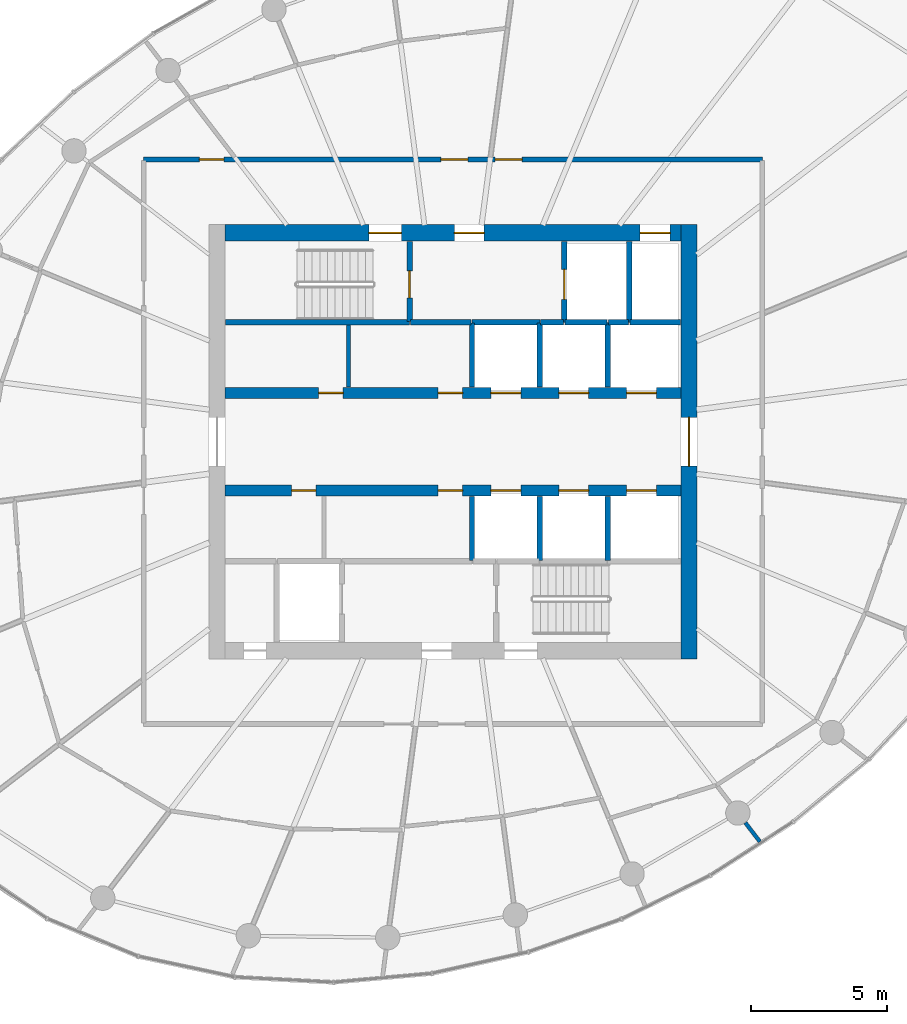
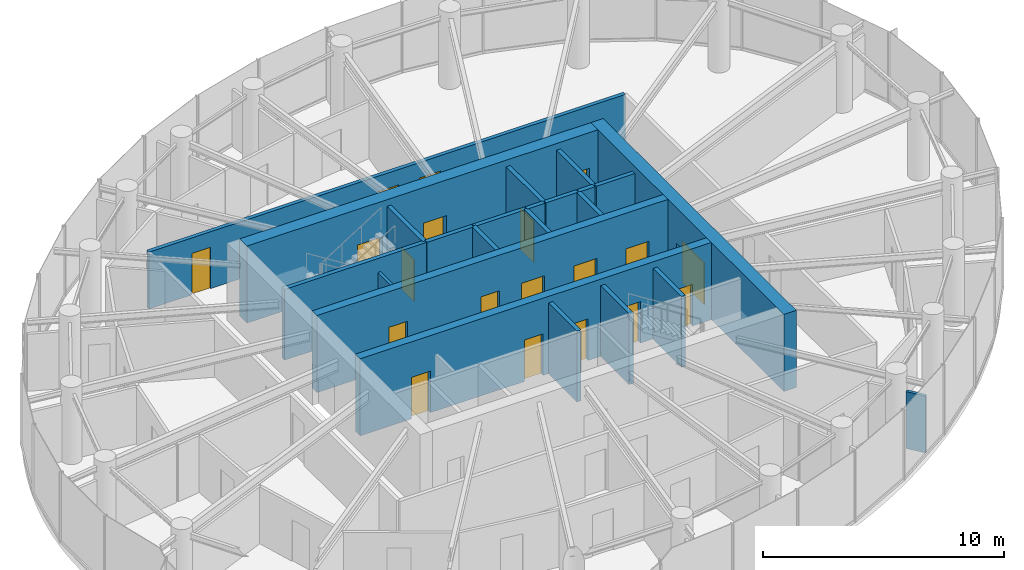
# One storey, part 10 of 13: 23 walls, 19 doors, 19 openings.
"""IFC4 building model written with IfcOpenShell, lengths in metres."""

from ifc_helpers import new_model, si_unit, direction, frame, frame_2d, origin, place, context, subcontext, project, spatial, rectangle, extrude, source, transform, mapped, material, layer, layer_set, type_object, element, fill, save


model = new_model("IFC4")

# Units and contexts
model_context = context("Model", 3, precision=1e-05, world=origin(), true_north=direction((0.0, 1.0)))
body_context = subcontext(model_context, "Body", "Model", "MODEL_VIEW")
ifc_project = project(units=[si_unit("LENGTHUNIT", "METRE"), si_unit("AREAUNIT", "SQUARE_METRE"), si_unit("VOLUMEUNIT", "CUBIC_METRE"), si_unit("PLANEANGLEUNIT", "RADIAN"), si_unit("MASSUNIT", "GRAM", prefix="KILO")], contexts=[model_context])

# Site, building, storey
site_placement = place(None, origin())
site = spatial("IfcSite", under=ifc_project, at=site_placement, CompositionType="ELEMENT")
building_placement = place(site_placement, origin())
building = spatial("IfcBuilding", under=site, at=building_placement, Name="Spindrift Exchange Tower", CompositionType="ELEMENT")
storey_placement = place(building_placement, frame((0.0, 0.0, 222.800048828125)))
storey = spatial("IfcBuildingStorey", under=building, at=storey_placement, Name="L54", CompositionType="ELEMENT", Elevation=222.800048828125)

# Wall, opening, door
ifc_material_1 = material(Name="Concrete 50 MPa", Category="concrete")
ifc_layer_1 = layer(ifc_material_1, 0.60009765625)
ifc_layer_set_1 = layer_set([ifc_layer_1], Name="RC Core Wall 600 Concrete 50 MPa")
wall_type_1 = type_object("IfcWallType", Name="RC Core Wall 600 Concrete 50 MPa", PredefinedType="SHEAR", material=ifc_layer_set_1)
wall_1_placement = place(storey_placement, frame((60.699951171875, 40.0, 0.0), z_axis=(0.0, 0.0, 1.0), x_axis=(0.0, 1.0, 0.0)))
wall_1 = element("IfcWall", 1, at=wall_1_placement, inside=storey, type_object=wall_type_1, Name="Core wall E L54", PredefinedType="SHEAR", context=body_context, shape_type="SweptSolid", body=[
    extrude(rectangle(XDim=16.0, YDim=0.60009765625, at=frame_2d((8.0, 0.0))), origin(), (0.0, 0.0, 1.0), 3.89990234375),
])
opening_1_placement = place(wall_1_placement, frame((7.10009765625, 0.0, 0.0)))
opening_1 = element("IfcOpeningElement", 2, at=opening_1_placement, cuts=wall_1, Name="Opening L54-D2", PredefinedType="OPENING", context=body_context, shape_type="SweptSolid", body=[
    extrude(rectangle(XDim=1.800048828125, YDim=2.10009765625, at=frame_2d((0.89990234375, 1.050048828125))), frame((0.0, 0.31005859375, 0.0), z_axis=(0.0, -1.0, 0.0), x_axis=(1.0, 0.0, 0.0)), (0.0, 0.0, 1.0), 0.6201171875),
])
ifc_material_2 = material(Name="Timber-core fire door", Category="wood")
door_type_1 = type_object("IfcDoorType", Name="DR-LOBBY-1800", OperationType="NOTDEFINED", PredefinedType="DOOR", material=ifc_material_2)
shared_shape_1 = source(origin(), body_context, "Body", "SweptSolid", [
    extrude(rectangle(XDim=1.800048828125, YDim=2.10009765625, at=frame_2d((0.89990234375, 1.050048828125))), frame((0.0, 0.02490234375, 0.0), z_axis=(0.0, -1.0, 0.0), x_axis=(1.0, 0.0, 0.0)), (0.0, 0.0, 1.0), 0.050048828125),
])
door_1_placement = place(opening_1_placement, origin())
door_1 = element("IfcDoor", 3, at=door_1_placement, inside=storey, type_object=door_type_1, Name="L54 Lobby door 2", OperationType="SINGLE_SWING_LEFT", OverallHeight=2.10009765625, OverallWidth=1.800048828125, PredefinedType="DOOR", context=body_context, shape_type="MappedRepresentation", body=[
    mapped(shared_shape_1, transform((0.0, 0.0, 0.0), scale=1.0)),
])
fill(opening_1, door_1)

# Wall, openings, doors
wall_2_placement = place(storey_placement, frame((60.39990234375, 55.699951171875, 0.0), z_axis=(0.0, 0.0, 1.0), x_axis=(-1.0, 0.0, 0.0)))
wall_2 = element("IfcWall", 4, at=wall_2_placement, inside=storey, type_object=wall_type_1, Name="Core wall N L54", PredefinedType="SHEAR", context=body_context, shape_type="SweptSolid", body=[
    extrude(rectangle(XDim=16.7998046875, YDim=0.60009765625, at=frame_2d((8.39990234375, 0.0))), origin(), (0.0, 0.0, 1.0), 3.89990234375),
])
opening_2_placement = place(wall_2_placement, frame((0.39990234375, 0.0, 0.0)))
opening_2 = element("IfcOpeningElement", 5, at=opening_2_placement, cuts=wall_2, Name="Opening L54-D11", PredefinedType="OPENING", context=body_context, shape_type="SweptSolid", body=[
    extrude(rectangle(XDim=1.10009765625, YDim=2.10009765625, at=frame_2d((0.550048828125, 1.050048828125))), frame((0.0, 0.31005859375, 0.0), z_axis=(0.0, -1.0, 0.0), x_axis=(1.0, 0.0, 0.0)), (0.0, 0.0, 1.0), 0.6201171875),
])
opening_3_placement = place(wall_2_placement, frame((10.300048828125, 0.0, 0.0)))
opening_3 = element("IfcOpeningElement", 6, at=opening_3_placement, cuts=wall_2, Name="Opening L54-D12", PredefinedType="OPENING", context=body_context, shape_type="SweptSolid", body=[
    extrude(rectangle(XDim=1.199951171875, YDim=2.10009765625, at=frame_2d((0.60009765625, 1.050048828125))), frame((0.0, 0.31005859375, 0.0), z_axis=(0.0, -1.0, 0.0), x_axis=(1.0, 0.0, 0.0)), (0.0, 0.0, 1.0), 0.6201171875),
])
opening_4_placement = place(wall_2_placement, frame((7.25, 0.0, 0.0)))
opening_4 = element("IfcOpeningElement", 7, at=opening_4_placement, cuts=wall_2, Name="Opening L54-D14", PredefinedType="OPENING", context=body_context, shape_type="SweptSolid", body=[
    extrude(rectangle(XDim=1.10009765625, YDim=2.10009765625, at=frame_2d((0.550048828125, 1.050048828125))), frame((0.0, 0.31005859375, 0.0), z_axis=(0.0, -1.0, 0.0), x_axis=(1.0, 0.0, 0.0)), (0.0, 0.0, 1.0), 0.6201171875),
])
ifc_material_3 = material(Name="Stainless steel landing door", Category="steel")
door_type_2 = type_object("IfcDoorType", Name="DR-LANDING-1100-SL", OperationType="DOUBLE_DOOR_SLIDING", PredefinedType="USERDEFINED", material=ifc_material_3)
shared_shape_2 = source(origin(), body_context, "Body", "SweptSolid", [
    extrude(rectangle(XDim=1.10009765625, YDim=2.10009765625, at=frame_2d((0.550048828125, 1.050048828125))), frame((0.0, 0.02490234375, 0.0), z_axis=(0.0, -1.0, 0.0), x_axis=(1.0, 0.0, 0.0)), (0.0, 0.0, 1.0), 0.050048828125),
])
door_2_placement = place(opening_2_placement, origin())
door_2 = element("IfcDoor", 8, at=door_2_placement, inside=storey, type_object=door_type_2, Name="L54 Lift landing door 11", ObjectType="LANDING DOOR", OperationType="DOUBLE_DOOR_SLIDING", OverallHeight=2.10009765625, OverallWidth=1.10009765625, PredefinedType="USERDEFINED", context=body_context, shape_type="MappedRepresentation", body=[
    mapped(shared_shape_2, transform((0.0, 0.0, 0.0), scale=1.0)),
])
fill(opening_2, door_2)
ifc_material_4 = material(Name="Steel fire door", Category="steel")
door_type_3 = type_object("IfcDoorType", Name="DR-STAIR-1200", OperationType="NOTDEFINED", PredefinedType="DOOR", material=ifc_material_4)
shared_shape_3 = source(origin(), body_context, "Body", "SweptSolid", [
    extrude(rectangle(XDim=1.199951171875, YDim=2.10009765625, at=frame_2d((0.60009765625, 1.050048828125))), frame((0.0, 0.02490234375, 0.0), z_axis=(0.0, -1.0, 0.0), x_axis=(1.0, 0.0, 0.0)), (0.0, 0.0, 1.0), 0.050048828125),
])
door_3_placement = place(opening_3_placement, origin())
door_3 = element("IfcDoor", 9, at=door_3_placement, inside=storey, type_object=door_type_3, Name="L54 Stair door 12", OperationType="SINGLE_SWING_RIGHT", OverallHeight=2.10009765625, OverallWidth=1.199951171875, PredefinedType="DOOR", context=body_context, shape_type="MappedRepresentation", body=[
    mapped(shared_shape_3, transform((0.0, 0.0, 0.0), scale=1.0)),
])
fill(opening_3, door_3)
door_type_4 = type_object("IfcDoorType", Name="DR-LOBBY-1100", OperationType="NOTDEFINED", PredefinedType="DOOR", material=ifc_material_2)
shared_shape_4 = source(origin(), body_context, "Body", "SweptSolid", [
    extrude(rectangle(XDim=1.10009765625, YDim=2.10009765625, at=frame_2d((0.550048828125, 1.050048828125))), frame((0.0, 0.02490234375, 0.0), z_axis=(0.0, -1.0, 0.0), x_axis=(1.0, 0.0, 0.0)), (0.0, 0.0, 1.0), 0.050048828125),
])
door_4_placement = place(opening_4_placement, origin())
door_4 = element("IfcDoor", 10, at=door_4_placement, inside=storey, type_object=door_type_4, Name="L54 Lobby door 14", OperationType="SINGLE_SWING_RIGHT", OverallHeight=2.10009765625, OverallWidth=1.10009765625, PredefinedType="DOOR", context=body_context, shape_type="MappedRepresentation", body=[
    mapped(shared_shape_4, transform((0.0, 0.0, 0.0), scale=1.0)),
])
fill(opening_4, door_4)

ifc_layer_2 = layer(ifc_material_1, 0.39990234375)
ifc_layer_set_2 = layer_set([ifc_layer_2], Name="RC Spine Wall 400 Concrete 50 MPa")
wall_type_2 = type_object("IfcWallType", Name="RC Spine Wall 400 Concrete 50 MPa", PredefinedType="SHEAR", material=ifc_layer_set_2)
wall_3_placement = place(storey_placement, frame((43.60009765625, 49.800048828125, 0.0), z_axis=(0.0, 0.0, 1.0), x_axis=(1.0, 0.0, 0.0)))
wall_3 = element("IfcWall", 11, at=wall_3_placement, inside=storey, type_object=wall_type_2, Name="Core spine wall N L54", PredefinedType="SHEAR", context=body_context, shape_type="SweptSolid", body=[
    extrude(rectangle(XDim=16.7998046875, YDim=0.39990234375, at=frame_2d((8.39990234375, 0.0))), origin(), (0.0, 0.0, 1.0), 3.89990234375),
])
opening_5_placement = place(wall_3_placement, frame((9.800048828125, 0.0, 0.0)))
opening_5 = element("IfcOpeningElement", 12, at=opening_5_placement, cuts=wall_3, Name="Opening L54-D3", PredefinedType="OPENING", context=body_context, shape_type="SweptSolid", body=[
    extrude(rectangle(XDim=1.10009765625, YDim=2.10009765625, at=frame_2d((0.550048828125, 1.050048828125))), frame((0.0, 0.2099609375, 0.0), z_axis=(0.0, -1.0, 0.0), x_axis=(1.0, 0.0, 0.0)), (0.0, 0.0, 1.0), 0.419921875),
])
opening_6_placement = place(wall_3_placement, frame((12.300048828125, 0.0, 0.0)))
opening_6 = element("IfcOpeningElement", 13, at=opening_6_placement, cuts=wall_3, Name="Opening L54-D4", PredefinedType="OPENING", context=body_context, shape_type="SweptSolid", body=[
    extrude(rectangle(XDim=1.10009765625, YDim=2.10009765625, at=frame_2d((0.550048828125, 1.050048828125))), frame((0.0, 0.2099609375, 0.0), z_axis=(0.0, -1.0, 0.0), x_axis=(1.0, 0.0, 0.0)), (0.0, 0.0, 1.0), 0.419921875),
])
opening_7_placement = place(wall_3_placement, frame((14.800048828125, 0.0, 0.0)))
opening_7 = element("IfcOpeningElement", 14, at=opening_7_placement, cuts=wall_3, Name="Opening L54-D5", PredefinedType="OPENING", context=body_context, shape_type="SweptSolid", body=[
    extrude(rectangle(XDim=1.10009765625, YDim=2.10009765625, at=frame_2d((0.550048828125, 1.050048828125))), frame((0.0, 0.2099609375, 0.0), z_axis=(0.0, -1.0, 0.0), x_axis=(1.0, 0.0, 0.0)), (0.0, 0.0, 1.0), 0.419921875),
])
opening_8_placement = place(wall_3_placement, frame((3.449951171875, 0.0, 0.0)))
opening_8 = element("IfcOpeningElement", 15, at=opening_8_placement, cuts=wall_3, Name="Opening L54-D45", PredefinedType="OPENING", context=body_context, shape_type="SweptSolid", body=[
    extrude(rectangle(XDim=0.89990234375, YDim=2.10009765625, at=frame_2d((0.449951171875, 1.050048828125))), frame((0.0, 0.2099609375, 0.0), z_axis=(0.0, -1.0, 0.0), x_axis=(1.0, 0.0, 0.0)), (0.0, 0.0, 1.0), 0.419921875),
])
opening_9_placement = place(wall_3_placement, frame((7.85009765625, 0.0, 0.0)))
opening_9 = element("IfcOpeningElement", 16, at=opening_9_placement, cuts=wall_3, Name="Opening L54-D46", PredefinedType="OPENING", context=body_context, shape_type="SweptSolid", body=[
    extrude(rectangle(XDim=0.89990234375, YDim=2.10009765625, at=frame_2d((0.449951171875, 1.050048828125))), frame((0.0, 0.2099609375, 0.0), z_axis=(0.0, -1.0, 0.0), x_axis=(1.0, 0.0, 0.0)), (0.0, 0.0, 1.0), 0.419921875),
])
door_5_placement = place(opening_5_placement, origin())
door_5 = element("IfcDoor", 17, at=door_5_placement, inside=storey, type_object=door_type_2, Name="L54 Lift landing door 3", ObjectType="LANDING DOOR", OperationType="DOUBLE_DOOR_SLIDING", OverallHeight=2.10009765625, OverallWidth=1.10009765625, PredefinedType="USERDEFINED", context=body_context, shape_type="MappedRepresentation", body=[
    mapped(shared_shape_2, transform((0.0, 0.0, 0.0), scale=1.0)),
])
fill(opening_5, door_5)
door_6_placement = place(opening_6_placement, origin())
door_6 = element("IfcDoor", 18, at=door_6_placement, inside=storey, type_object=door_type_2, Name="L54 Lift landing door 4", ObjectType="LANDING DOOR", OperationType="DOUBLE_DOOR_SLIDING", OverallHeight=2.10009765625, OverallWidth=1.10009765625, PredefinedType="USERDEFINED", context=body_context, shape_type="MappedRepresentation", body=[
    mapped(shared_shape_2, transform((0.0, 0.0, 0.0), scale=1.0)),
])
fill(opening_6, door_6)
door_7_placement = place(opening_7_placement, origin())
door_7 = element("IfcDoor", 19, at=door_7_placement, inside=storey, type_object=door_type_2, Name="L54 Lift landing door 5", ObjectType="LANDING DOOR", OperationType="DOUBLE_DOOR_SLIDING", OverallHeight=2.10009765625, OverallWidth=1.10009765625, PredefinedType="USERDEFINED", context=body_context, shape_type="MappedRepresentation", body=[
    mapped(shared_shape_2, transform((0.0, 0.0, 0.0), scale=1.0)),
])
fill(opening_7, door_7)
ifc_material_5 = material(Name="Steel access door", Category="steel")
door_type_5 = type_object("IfcDoorType", Name="DR-RISER-900", OperationType="NOTDEFINED", PredefinedType="DOOR", material=ifc_material_5)
shared_shape_5 = source(origin(), body_context, "Body", "SweptSolid", [
    extrude(rectangle(XDim=0.89990234375, YDim=2.10009765625, at=frame_2d((0.449951171875, 1.050048828125))), frame((0.0, 0.02490234375, 0.0), z_axis=(0.0, -1.0, 0.0), x_axis=(1.0, 0.0, 0.0)), (0.0, 0.0, 1.0), 0.050048828125),
])
door_8_placement = place(opening_8_placement, origin())
door_8 = element("IfcDoor", 20, at=door_8_placement, inside=storey, type_object=door_type_5, Name="L54 Riser door 45", OperationType="SINGLE_SWING_LEFT", OverallHeight=2.10009765625, OverallWidth=0.89990234375, PredefinedType="DOOR", context=body_context, shape_type="MappedRepresentation", body=[
    mapped(shared_shape_5, transform((0.0, 0.0, 0.0), scale=1.0)),
])
fill(opening_8, door_8)
door_9_placement = place(opening_9_placement, origin())
door_9 = element("IfcDoor", 21, at=door_9_placement, inside=storey, type_object=door_type_5, Name="L54 Riser door 46", OperationType="SINGLE_SWING_RIGHT", OverallHeight=2.10009765625, OverallWidth=0.89990234375, PredefinedType="DOOR", context=body_context, shape_type="MappedRepresentation", body=[
    mapped(shared_shape_5, transform((0.0, 0.0, 0.0), scale=1.0)),
])
fill(opening_9, door_9)

wall_4_placement = place(storey_placement, frame((43.60009765625, 46.199951171875, 0.0), z_axis=(0.0, 0.0, 1.0), x_axis=(1.0, 0.0, 0.0)))
wall_4 = element("IfcWall", 22, at=wall_4_placement, inside=storey, type_object=wall_type_2, Name="Core spine wall S L54", PredefinedType="SHEAR", context=body_context, shape_type="SweptSolid", body=[
    extrude(rectangle(XDim=16.7998046875, YDim=0.39990234375, at=frame_2d((8.39990234375, 0.0))), origin(), (0.0, 0.0, 1.0), 3.89990234375),
])
opening_10_placement = place(wall_4_placement, frame((9.800048828125, 0.0, 0.0)))
opening_10 = element("IfcOpeningElement", 23, at=opening_10_placement, cuts=wall_4, Name="Opening L54-D6", PredefinedType="OPENING", context=body_context, shape_type="SweptSolid", body=[
    extrude(rectangle(XDim=1.10009765625, YDim=2.10009765625, at=frame_2d((0.550048828125, 1.050048828125))), frame((0.0, 0.2099609375, 0.0), z_axis=(0.0, -1.0, 0.0), x_axis=(1.0, 0.0, 0.0)), (0.0, 0.0, 1.0), 0.419921875),
])
opening_11_placement = place(wall_4_placement, frame((12.300048828125, 0.0, 0.0)))
opening_11 = element("IfcOpeningElement", 24, at=opening_11_placement, cuts=wall_4, Name="Opening L54-D7", PredefinedType="OPENING", context=body_context, shape_type="SweptSolid", body=[
    extrude(rectangle(XDim=1.10009765625, YDim=2.10009765625, at=frame_2d((0.550048828125, 1.050048828125))), frame((0.0, 0.2099609375, 0.0), z_axis=(0.0, -1.0, 0.0), x_axis=(1.0, 0.0, 0.0)), (0.0, 0.0, 1.0), 0.419921875),
])
opening_12_placement = place(wall_4_placement, frame((14.800048828125, 0.0, 0.0)))
opening_12 = element("IfcOpeningElement", 25, at=opening_12_placement, cuts=wall_4, Name="Opening L54-D8", PredefinedType="OPENING", context=body_context, shape_type="SweptSolid", body=[
    extrude(rectangle(XDim=1.10009765625, YDim=2.10009765625, at=frame_2d((0.550048828125, 1.050048828125))), frame((0.0, 0.2099609375, 0.0), z_axis=(0.0, -1.0, 0.0), x_axis=(1.0, 0.0, 0.0)), (0.0, 0.0, 1.0), 0.419921875),
])
opening_13_placement = place(wall_4_placement, frame((2.449951171875, 0.0, 0.0)))
opening_13 = element("IfcOpeningElement", 26, at=opening_13_placement, cuts=wall_4, Name="Opening L54-D47", PredefinedType="OPENING", context=body_context, shape_type="SweptSolid", body=[
    extrude(rectangle(XDim=0.89990234375, YDim=2.10009765625, at=frame_2d((0.449951171875, 1.050048828125))), frame((0.0, 0.2099609375, 0.0), z_axis=(0.0, -1.0, 0.0), x_axis=(1.0, 0.0, 0.0)), (0.0, 0.0, 1.0), 0.419921875),
])
opening_14_placement = place(wall_4_placement, frame((7.85009765625, 0.0, 0.0)))
opening_14 = element("IfcOpeningElement", 27, at=opening_14_placement, cuts=wall_4, Name="Opening L54-D48", PredefinedType="OPENING", context=body_context, shape_type="SweptSolid", body=[
    extrude(rectangle(XDim=0.89990234375, YDim=2.10009765625, at=frame_2d((0.449951171875, 1.050048828125))), frame((0.0, 0.2099609375, 0.0), z_axis=(0.0, -1.0, 0.0), x_axis=(1.0, 0.0, 0.0)), (0.0, 0.0, 1.0), 0.419921875),
])
door_10_placement = place(opening_10_placement, origin())
door_10 = element("IfcDoor", 28, at=door_10_placement, inside=storey, type_object=door_type_2, Name="L54 Lift landing door 6", ObjectType="LANDING DOOR", OperationType="DOUBLE_DOOR_SLIDING", OverallHeight=2.10009765625, OverallWidth=1.10009765625, PredefinedType="USERDEFINED", context=body_context, shape_type="MappedRepresentation", body=[
    mapped(shared_shape_2, transform((0.0, 0.0, 0.0), scale=1.0)),
])
fill(opening_10, door_10)
door_11_placement = place(opening_11_placement, origin())
door_11 = element("IfcDoor", 29, at=door_11_placement, inside=storey, type_object=door_type_2, Name="L54 Lift landing door 7", ObjectType="LANDING DOOR", OperationType="DOUBLE_DOOR_SLIDING", OverallHeight=2.10009765625, OverallWidth=1.10009765625, PredefinedType="USERDEFINED", context=body_context, shape_type="MappedRepresentation", body=[
    mapped(shared_shape_2, transform((0.0, 0.0, 0.0), scale=1.0)),
])
fill(opening_11, door_11)
door_12_placement = place(opening_12_placement, origin())
door_12 = element("IfcDoor", 30, at=door_12_placement, inside=storey, type_object=door_type_2, Name="L54 Lift landing door 8", ObjectType="LANDING DOOR", OperationType="DOUBLE_DOOR_SLIDING", OverallHeight=2.10009765625, OverallWidth=1.10009765625, PredefinedType="USERDEFINED", context=body_context, shape_type="MappedRepresentation", body=[
    mapped(shared_shape_2, transform((0.0, 0.0, 0.0), scale=1.0)),
])
fill(opening_12, door_12)
door_13_placement = place(opening_13_placement, origin())
door_13 = element("IfcDoor", 31, at=door_13_placement, inside=storey, type_object=door_type_5, Name="L54 Riser door 47", OperationType="SINGLE_SWING_LEFT", OverallHeight=2.10009765625, OverallWidth=0.89990234375, PredefinedType="DOOR", context=body_context, shape_type="MappedRepresentation", body=[
    mapped(shared_shape_5, transform((0.0, 0.0, 0.0), scale=1.0)),
])
fill(opening_13, door_13)
door_14_placement = place(opening_14_placement, origin())
door_14 = element("IfcDoor", 32, at=door_14_placement, inside=storey, type_object=door_type_5, Name="L54 Riser door 48", OperationType="SINGLE_SWING_RIGHT", OverallHeight=2.10009765625, OverallWidth=0.89990234375, PredefinedType="DOOR", context=body_context, shape_type="MappedRepresentation", body=[
    mapped(shared_shape_5, transform((0.0, 0.0, 0.0), scale=1.0)),
])
fill(opening_14, door_14)

ifc_material_6 = material(Name="Fire-rated plasterboard partition", Category="gypsum")
ifc_layer_3 = layer(ifc_material_6, 0.179931640625)
ifc_layer_set_3 = layer_set([ifc_layer_3], Name="W-CORR-180")
wall_type_3 = type_object("IfcWallType", Name="W-CORR-180", PredefinedType="PARTITIONING", material=ifc_layer_set_3)
wall_5_placement = place(storey_placement, frame((40.60009765625, 58.39990234375, 0.0), z_axis=(0.0, 0.0, 1.0), x_axis=(1.0, 0.0, 0.0)))
wall_5 = element("IfcWall", 33, at=wall_5_placement, inside=storey, type_object=wall_type_3, Name="L54 Partition wall 27", PredefinedType="PARTITIONING", context=body_context, shape_type="SweptSolid", body=[
    extrude(rectangle(XDim=22.7998046875, YDim=0.179931640625, at=frame_2d((11.39990234375, 0.0))), origin(), (0.0, 0.0, 1.0), 2.8798828125),
])
opening_15_placement = place(wall_5_placement, frame((2.050048828125, 0.0, 0.0)))
opening_15 = element("IfcOpeningElement", 34, at=opening_15_placement, cuts=wall_5, Name="Opening L54-D19", PredefinedType="OPENING", context=body_context, shape_type="SweptSolid", body=[
    extrude(rectangle(XDim=0.89990234375, YDim=2.10009765625, at=frame_2d((0.449951171875, 1.050048828125))), frame((0.0, 0.099853515625, 0.0), z_axis=(0.0, -1.0, 0.0), x_axis=(1.0, 0.0, 0.0)), (0.0, 0.0, 1.0), 0.199951171875),
])
opening_16_placement = place(wall_5_placement, frame((12.949951171875, 0.0, 0.0)))
opening_16 = element("IfcOpeningElement", 35, at=opening_16_placement, cuts=wall_5, Name="Opening L54-D40", PredefinedType="OPENING", context=body_context, shape_type="SweptSolid", body=[
    extrude(rectangle(XDim=1.0, YDim=2.10009765625, at=frame_2d((0.5, 1.050048828125))), frame((0.0, 0.099853515625, 0.0), z_axis=(0.0, -1.0, 0.0), x_axis=(1.0, 0.0, 0.0)), (0.0, 0.0, 1.0), 0.199951171875),
])
opening_17_placement = place(wall_5_placement, frame((10.949951171875, 0.0, 0.0)))
opening_17 = element("IfcOpeningElement", 36, at=opening_17_placement, cuts=wall_5, Name="Opening L54-D41", PredefinedType="OPENING", context=body_context, shape_type="SweptSolid", body=[
    extrude(rectangle(XDim=1.0, YDim=2.10009765625, at=frame_2d((0.5, 1.050048828125))), frame((0.0, 0.099853515625, 0.0), z_axis=(0.0, -1.0, 0.0), x_axis=(1.0, 0.0, 0.0)), (0.0, 0.0, 1.0), 0.199951171875),
])
door_type_6 = type_object("IfcDoorType", Name="DR-ROOM-1000", OperationType="NOTDEFINED", PredefinedType="DOOR", material=ifc_material_2)
shared_shape_6 = source(origin(), body_context, "Body", "SweptSolid", [
    extrude(rectangle(XDim=1.0, YDim=2.10009765625, at=frame_2d((0.5, 1.050048828125))), frame((0.0, 0.02490234375, 0.0), z_axis=(0.0, -1.0, 0.0), x_axis=(1.0, 0.0, 0.0)), (0.0, 0.0, 1.0), 0.050048828125),
])
door_15_placement = place(opening_16_placement, origin())
door_15 = element("IfcDoor", 37, at=door_15_placement, inside=storey, type_object=door_type_6, Name="L54 Door 40", OperationType="SINGLE_SWING_RIGHT", OverallHeight=2.10009765625, OverallWidth=1.0, PredefinedType="DOOR", context=body_context, shape_type="MappedRepresentation", body=[
    mapped(shared_shape_6, transform((0.0, 0.0, 0.0), scale=1.0)),
])
fill(opening_16, door_15)
door_16_placement = place(opening_17_placement, origin())
door_16 = element("IfcDoor", 38, at=door_16_placement, inside=storey, type_object=door_type_6, Name="L54 Door 41", OperationType="SINGLE_SWING_LEFT", OverallHeight=2.10009765625, OverallWidth=1.0, PredefinedType="DOOR", context=body_context, shape_type="MappedRepresentation", body=[
    mapped(shared_shape_6, transform((0.0, 0.0, 0.0), scale=1.0)),
])
fill(opening_17, door_16)
ifc_material_7 = material(Name="Laminate washroom door", Category="wood")
door_type_7 = type_object("IfcDoorType", Name="DR-WC-900", OperationType="NOTDEFINED", PredefinedType="DOOR", material=ifc_material_7)
shared_shape_7 = source(origin(), body_context, "Body", "SweptSolid", [
    extrude(rectangle(XDim=0.89990234375, YDim=2.10009765625, at=frame_2d((0.449951171875, 1.050048828125))), frame((0.0, 0.02490234375, 0.0), z_axis=(0.0, -1.0, 0.0), x_axis=(1.0, 0.0, 0.0)), (0.0, 0.0, 1.0), 0.050048828125),
])
door_17_placement = place(opening_15_placement, origin())
door_17 = element("IfcDoor", 39, at=door_17_placement, inside=storey, type_object=door_type_7, Name="L54 WC door 19", OperationType="SINGLE_SWING_LEFT", OverallHeight=2.10009765625, OverallWidth=0.89990234375, PredefinedType="DOOR", context=body_context, shape_type="MappedRepresentation", body=[
    mapped(shared_shape_7, transform((0.0, 0.0, 0.0), scale=1.0)),
])
fill(opening_15, door_17)

# Walls
ifc_layer_4 = layer(ifc_material_6, 0.139892578125)
ifc_layer_set_4 = layer_set([ifc_layer_4], Name="W-PART-140")
wall_type_4 = type_object("IfcWallType", Name="W-PART-140", PredefinedType="PARTITIONING", material=ifc_layer_set_4)
wall_6_placement = place(storey_placement, frame((48.14990234375, 50.010009765625, 0.0), z_axis=(0.0, 0.0, 1.0), x_axis=(0.0, 1.0, 0.0)))
element("IfcWall", 40, at=wall_6_placement, inside=storey, type_object=wall_type_4, Name="L54 Partition wall 69", PredefinedType="PARTITIONING", context=body_context, shape_type="SweptSolid", body=[
    extrude(rectangle(XDim=2.2900390625, YDim=0.139892578125, at=frame_2d((1.14501953125, 0.0))), origin(), (0.0, 0.0, 1.0), 2.8798828125),
])
wall_7_placement = place(storey_placement, frame((62.77587890625, 33.956298828125, 0.0), z_axis=(0.0, 0.0, 1.0), x_axis=(0.608973072877, -0.793190895378, 0.0)))
element("IfcWall", 41, at=wall_7_placement, inside=storey, type_object=wall_type_4, Name="L54 Partition wall 92", PredefinedType="PARTITIONING", context=body_context, shape_type="SweptSolid", body=[
    extrude(rectangle(XDim=0.8798828125, YDim=0.139892578125, at=frame_2d((0.43994140625, 0.0))), origin(), (0.0, 0.0, 1.0), 2.8798828125),
])

# Wall, opening, door
ifc_material_8 = material(Name="Concrete 40 MPa", Category="concrete")
ifc_layer_5 = layer(ifc_material_8, 0.199951171875)
ifc_layer_set_5 = layer_set([ifc_layer_5], Name="W-SHAFT-200")
wall_type_5 = type_object("IfcWallType", Name="W-SHAFT-200", PredefinedType="SOLIDWALL", material=ifc_layer_set_5)
wall_8_placement = place(storey_placement, frame((56.10009765625, 55.3798828125, 0.0), z_axis=(0.0, 0.0, 1.0), x_axis=(0.0, -1.0, 0.0)))
wall_8 = element("IfcWall", 42, at=wall_8_placement, inside=storey, type_object=wall_type_5, Name="L54 Shaft wall 7", PredefinedType="SOLIDWALL", context=body_context, shape_type="SweptSolid", body=[
    extrude(rectangle(XDim=2.97998046875, YDim=0.199951171875, at=frame_2d((1.489990234375, 0.0))), origin(), (0.0, 0.0, 1.0), 3.579833984375),
])
opening_18_placement = place(wall_8_placement, frame((1.030029296875, 0.0, 0.0)))
opening_18 = element("IfcOpeningElement", 43, at=opening_18_placement, cuts=wall_8, Name="Opening L54-D9", PredefinedType="OPENING", context=body_context, shape_type="SweptSolid", body=[
    extrude(rectangle(XDim=1.10009765625, YDim=2.10009765625, at=frame_2d((0.550048828125, 1.050048828125))), frame((0.0, 0.10986328125, 0.0), z_axis=(0.0, -1.0, 0.0), x_axis=(1.0, 0.0, 0.0)), (0.0, 0.0, 1.0), 0.219970703125),
])
door_18_placement = place(opening_18_placement, origin())
door_18 = element("IfcDoor", 44, at=door_18_placement, inside=storey, type_object=door_type_2, Name="L54 Lift landing door 9", ObjectType="LANDING DOOR", OperationType="DOUBLE_DOOR_SLIDING", OverallHeight=2.10009765625, OverallWidth=1.10009765625, PredefinedType="USERDEFINED", context=body_context, shape_type="MappedRepresentation", body=[
    mapped(shared_shape_2, transform((0.0, 0.0, 0.0), scale=1.0)),
])
fill(opening_18, door_18)

# Walls
wall_9_placement = place(storey_placement, frame((58.5, 52.39990234375, 0.0), z_axis=(0.0, 0.0, 1.0), x_axis=(0.0, 1.0, 0.0)))
element("IfcWall", 45, at=wall_9_placement, inside=storey, type_object=wall_type_5, Name="L54 Shaft wall 8", PredefinedType="SOLIDWALL", context=body_context, shape_type="SweptSolid", body=[
    extrude(rectangle(XDim=2.97998046875, YDim=0.199951171875, at=frame_2d((1.489990234375, 0.0))), origin(), (0.0, 0.0, 1.0), 3.579833984375),
])
wall_10_placement = place(storey_placement, frame((55.199951171875, 52.39990234375, 0.0), z_axis=(0.0, 0.0, 1.0), x_axis=(-1.0, 0.0, 0.0)))
element("IfcWall", 46, at=wall_10_placement, inside=storey, type_object=wall_type_5, Name="L54 Shaft wall 10", PredefinedType="SOLIDWALL", context=body_context, shape_type="SweptSolid", body=[
    extrude(rectangle(XDim=2.5, YDim=0.199951171875, at=frame_2d((1.25, 0.0))), origin(), (0.0, 0.0, 1.0), 3.579833984375),
])
for number, where, z_axis, x_axis, name in (
    (47, (52.699951171875, 45.989990234375, 0.0), (0.0, 0.0, 1.0), (0.0, -1.0, 0.0), "L54 Shaft wall 13"),
    (48, (52.699951171875, 52.3701171875, 0.0), (0.0, 0.0, 1.0), (0.0, -1.0, 0.0), "L54 Shaft wall 14"),
    (49, (55.199951171875, 50.010009765625, 0.0), (0.0, 0.0, 1.0), (0.0, 1.0, 0.0), "L54 Shaft wall 16"),
):
    element("IfcWall", number, at=place(storey_placement, frame(where, z_axis=z_axis, x_axis=x_axis)), inside=storey, type_object=wall_type_5, Name=name, PredefinedType="SOLIDWALL", context=body_context, shape_type="SweptSolid", body=[
        extrude(rectangle(XDim=2.360107421875, YDim=0.199951171875, at=frame_2d((1.18017578125, 0.0))), origin(), (0.0, 0.0, 1.0), 3.579833984375),
    ])
wall_11_placement = place(storey_placement, frame((57.699951171875, 50.010009765625, 0.0), z_axis=(0.0, 0.0, 1.0), x_axis=(0.0, 1.0, 0.0)))
element("IfcWall", 50, at=wall_11_placement, inside=storey, type_object=wall_type_5, Name="L54 Shaft wall 18", PredefinedType="SOLIDWALL", context=body_context, shape_type="SweptSolid", body=[
    extrude(rectangle(XDim=2.389892578125, YDim=0.199951171875, at=frame_2d((1.19482421875, 0.0))), origin(), (0.0, 0.0, 1.0), 3.579833984375),
])
wall_12_placement = place(storey_placement, frame((60.3798828125, 52.39990234375, 0.0), z_axis=(0.0, 0.0, 1.0), x_axis=(-1.0, 0.0, 0.0)))
element("IfcWall", 51, at=wall_12_placement, inside=storey, type_object=wall_type_5, Name="L54 Shaft wall 21", PredefinedType="SOLIDWALL", context=body_context, shape_type="SweptSolid", body=[
    extrude(rectangle(XDim=1.849853515625, YDim=0.199951171875, at=frame_2d((0.9248046875, 0.0))), origin(), (0.0, 0.0, 1.0), 3.579833984375),
])
wall_13_placement = place(storey_placement, frame((57.669921875, 52.39990234375, 0.0), z_axis=(0.0, 0.0, 1.0), x_axis=(-1.0, 0.0, 0.0)))
element("IfcWall", 52, at=wall_13_placement, inside=storey, type_object=wall_type_5, Name="L54 Shaft wall 23", PredefinedType="SOLIDWALL", context=body_context, shape_type="SweptSolid", body=[
    extrude(rectangle(XDim=1.5400390625, YDim=0.199951171875, at=frame_2d((0.77001953125, 0.0))), origin(), (0.0, 0.0, 1.0), 3.579833984375),
])
wall_14_placement = place(storey_placement, frame((56.070068359375, 52.39990234375, 0.0), z_axis=(0.0, 0.0, 1.0), x_axis=(-1.0, 0.0, 0.0)))
element("IfcWall", 53, at=wall_14_placement, inside=storey, type_object=wall_type_5, Name="L54 Shaft wall 25", PredefinedType="SOLIDWALL", context=body_context, shape_type="SweptSolid", body=[
    extrude(rectangle(XDim=0.840087890625, YDim=0.199951171875, at=frame_2d((0.419921875, 0.0))), origin(), (0.0, 0.0, 1.0), 3.579833984375),
])
wall_15_placement = place(storey_placement, frame((58.469970703125, 52.39990234375, 0.0), z_axis=(0.0, 0.0, 1.0), x_axis=(-1.0, 0.0, 0.0)))
element("IfcWall", 54, at=wall_15_placement, inside=storey, type_object=wall_type_5, Name="L54 Shaft wall 26", PredefinedType="SOLIDWALL", context=body_context, shape_type="SweptSolid", body=[
    extrude(rectangle(XDim=0.739990234375, YDim=0.199951171875, at=frame_2d((0.3701171875, 0.0))), origin(), (0.0, 0.0, 1.0), 3.579833984375),
])
ifc_layer_6 = layer(ifc_material_8, 0.199951171875)
ifc_layer_set_6 = layer_set([ifc_layer_6], Name="W-SHAFT-200-LB")
wall_type_6 = type_object("IfcWallType", Name="W-SHAFT-200-LB", PredefinedType="SOLIDWALL", material=ifc_layer_set_6)
wall_16_placement = place(storey_placement, frame((43.6201171875, 52.39990234375, 0.0), z_axis=(0.0, 0.0, 1.0), x_axis=(1.0, 0.0, 0.0)))
element("IfcWall", 55, at=wall_16_placement, inside=storey, type_object=wall_type_6, Name="L54 Shaft wall 1", PredefinedType="SOLIDWALL", context=body_context, shape_type="SweptSolid", body=[
    extrude(rectangle(XDim=6.77978515625, YDim=0.199951171875, at=frame_2d((3.389892578125, 0.0))), origin(), (0.0, 0.0, 1.0), 3.579833984375),
])

# Wall, opening, door
wall_17_placement = place(storey_placement, frame((50.39990234375, 52.429931640625, 0.0), z_axis=(0.0, 0.0, 1.0), x_axis=(0.0, 1.0, 0.0)))
wall_17 = element("IfcWall", 56, at=wall_17_placement, inside=storey, type_object=wall_type_6, Name="L54 Shaft wall 5", PredefinedType="SOLIDWALL", context=body_context, shape_type="SweptSolid", body=[
    extrude(rectangle(XDim=2.949951171875, YDim=0.199951171875, at=frame_2d((1.47509765625, 0.0))), origin(), (0.0, 0.0, 1.0), 3.579833984375),
])
opening_19_placement = place(wall_17_placement, frame((0.8701171875, 0.0, 0.0)))
opening_19 = element("IfcOpeningElement", 57, at=opening_19_placement, cuts=wall_17, Name="Opening L54-D13", PredefinedType="OPENING", context=body_context, shape_type="SweptSolid", body=[
    extrude(rectangle(XDim=1.0, YDim=2.10009765625, at=frame_2d((0.5, 1.050048828125))), frame((0.0, 0.10986328125, 0.0), z_axis=(0.0, -1.0, 0.0), x_axis=(1.0, 0.0, 0.0)), (0.0, 0.0, 1.0), 0.219970703125),
])
door_type_8 = type_object("IfcDoorType", Name="DR-STAIR-1000", OperationType="NOTDEFINED", PredefinedType="DOOR", material=ifc_material_4)
shared_shape_8 = source(origin(), body_context, "Body", "SweptSolid", [
    extrude(rectangle(XDim=1.0, YDim=2.10009765625, at=frame_2d((0.5, 1.050048828125))), frame((0.0, 0.02490234375, 0.0), z_axis=(0.0, -1.0, 0.0), x_axis=(1.0, 0.0, 0.0)), (0.0, 0.0, 1.0), 0.050048828125),
])
door_19_placement = place(opening_19_placement, origin())
door_19 = element("IfcDoor", 58, at=door_19_placement, inside=storey, type_object=door_type_8, Name="L54 Stair door 13", OperationType="SINGLE_SWING_LEFT", OverallHeight=2.10009765625, OverallWidth=1.0, PredefinedType="DOOR", context=body_context, shape_type="MappedRepresentation", body=[
    mapped(shared_shape_8, transform((0.0, 0.0, 0.0), scale=1.0)),
])
fill(opening_19, door_19)

# Walls
for number, where, z_axis, x_axis, name in (
    (59, (55.199951171875, 43.6298828125, 0.0), (0.0, 0.0, 1.0), (0.0, 1.0, 0.0), "L54 Shaft wall 15"),
    (60, (57.699951171875, 43.6298828125, 0.0), (0.0, 0.0, 1.0), (0.0, 1.0, 0.0), "L54 Shaft wall 17"),
):
    element("IfcWall", number, at=place(storey_placement, frame(where, z_axis=z_axis, x_axis=x_axis)), inside=storey, type_object=wall_type_6, Name=name, PredefinedType="SOLIDWALL", context=body_context, shape_type="SweptSolid", body=[
        extrude(rectangle(XDim=2.360107421875, YDim=0.199951171875, at=frame_2d((1.18017578125, 0.0))), origin(), (0.0, 0.0, 1.0), 3.579833984375),
    ])
wall_18_placement = place(storey_placement, frame((50.429931640625, 52.39990234375, 0.0), z_axis=(0.0, 0.0, 1.0), x_axis=(1.0, 0.0, 0.0)))
element("IfcWall", 61, at=wall_18_placement, inside=storey, type_object=wall_type_6, Name="L54 Shaft wall 19", PredefinedType="SOLIDWALL", context=body_context, shape_type="SweptSolid", body=[
    extrude(rectangle(XDim=2.239990234375, YDim=0.199951171875, at=frame_2d((1.1201171875, 0.0))), origin(), (0.0, 0.0, 1.0), 3.579833984375),
])

save(model, "model.ifc")
